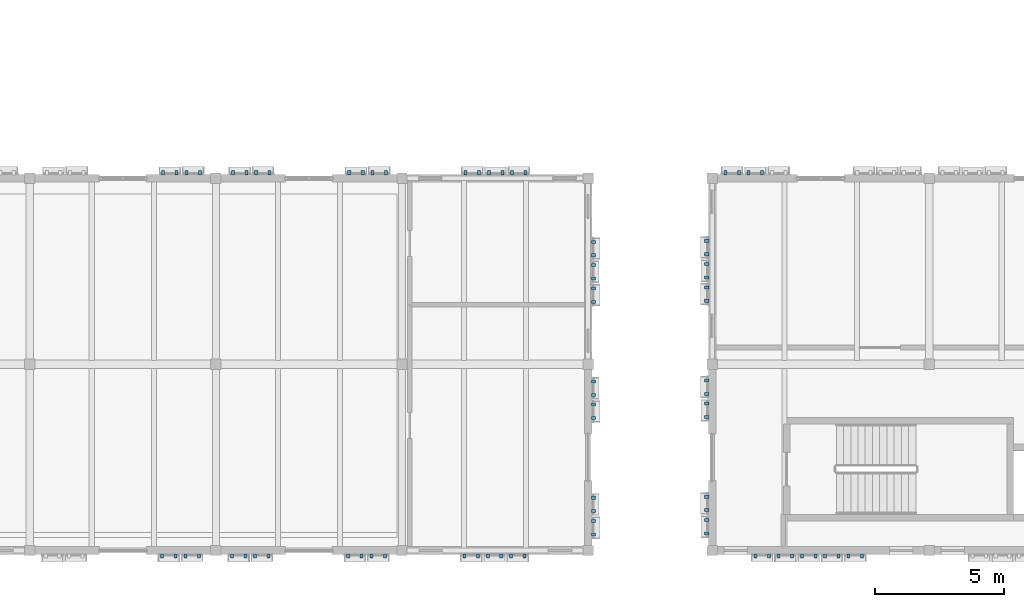
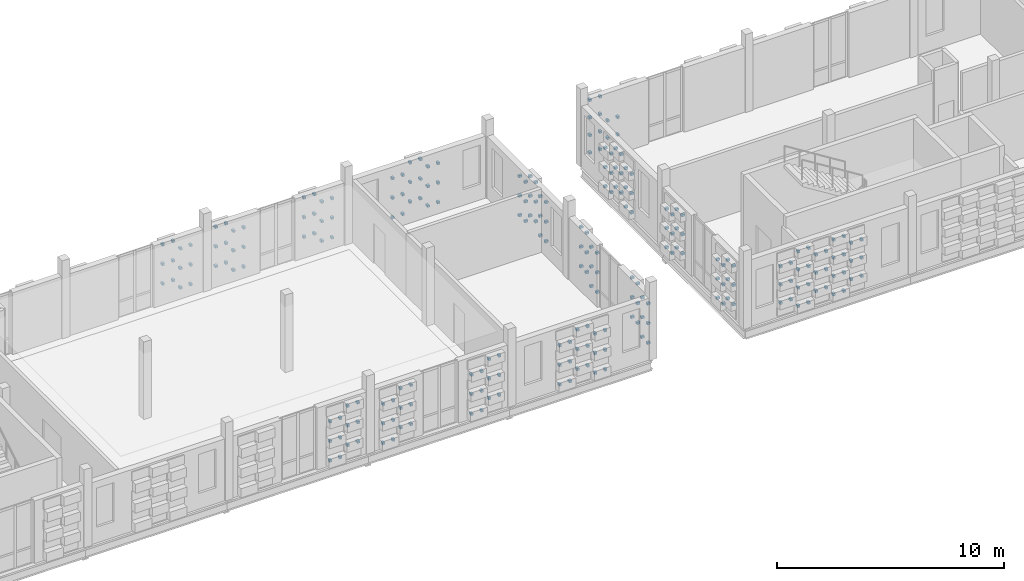
# One storey, part 71 of 81: 238 discrete accessories.
"""IFC4 building model written with IfcOpenShell, lengths in metres."""

from ifc_helpers import new_model, si_unit, direction, frame, origin, origin_2d, place, context, subcontext, project, spatial, rectangle, extrude, material, type_object, element, save


model = new_model("IFC4")

# Units and contexts
model_context = context("Model", 3, precision=1e-05, world=origin(), true_north=direction((0.0, 1.0)))
body_context = subcontext(model_context, "Body", "Model", "MODEL_VIEW")
ifc_project = project(units=[si_unit("LENGTHUNIT", "METRE"), si_unit("AREAUNIT", "SQUARE_METRE"), si_unit("VOLUMEUNIT", "CUBIC_METRE"), si_unit("PLANEANGLEUNIT", "RADIAN"), si_unit("MASSUNIT", "GRAM", prefix="KILO")], contexts=[model_context])

# Site, building, storey
site_placement = place(None, origin())
site = spatial("IfcSite", under=ifc_project, at=site_placement, CompositionType="ELEMENT")
building_placement = place(site_placement, origin())
building = spatial("IfcBuilding", under=site, at=building_placement, Name="Kahlenmark Community Centre", CompositionType="ELEMENT")
storey_placement = place(building_placement, frame((0.0, 0.0, 9.60009765625)))
storey = spatial("IfcBuildingStorey", under=building, at=storey_placement, Name="L02", CompositionType="ELEMENT", Elevation=9.60009765625)

# Discrete accessories
ifc_material = material(Name="Stainless steel 1.4401 rainscreen bracket", Category="steel")
discrete_accessory_type = type_object("IfcDiscreteAccessoryType", Name="DAT-BRACKET-TC", PredefinedType="BRACKET", material=ifc_material)
for number, where, z_axis, x_axis, name in (
    (1, (70.320068359375, 8.590087890625, 0.283935546875), (0.0, 0.0, 1.0), (1.0, 0.0, 0.0), "Terracotta cassette bracket 2815.1"),
    (2, (70.840087890625, 8.590087890625, 0.283935546875), (0.0, 0.0, 1.0), (1.0, 0.0, 0.0), "Terracotta cassette bracket 2815.2"),
    (3, (70.320068359375, 8.590087890625, 1.33984375), (0.0, 0.0, 1.0), (1.0, 0.0, 0.0), "Terracotta cassette bracket 2817.1"),
    (4, (70.840087890625, 8.590087890625, 1.33984375), (0.0, 0.0, 1.0), (1.0, 0.0, 0.0), "Terracotta cassette bracket 2817.2"),
    (5, (70.320068359375, 8.590087890625, 2.395751953125), (0.0, 0.0, 1.0), (1.0, 0.0, 0.0), "Terracotta cassette bracket 2819.1"),
    (6, (70.840087890625, 8.590087890625, 2.395751953125), (0.0, 0.0, 1.0), (1.0, 0.0, 0.0), "Terracotta cassette bracket 2819.2"),
    (7, (71.219970703125, 8.590087890625, 0.811767578125), (0.0, 0.0, 1.0), (1.0, 0.0, 0.0), "Terracotta cassette bracket 2822.1"),
    (8, (71.739990234375, 8.590087890625, 0.811767578125), (0.0, 0.0, 1.0), (1.0, 0.0, 0.0), "Terracotta cassette bracket 2822.2"),
    (9, (71.219970703125, 8.590087890625, 1.867919921875), (0.0, 0.0, 1.0), (1.0, 0.0, 0.0), "Terracotta cassette bracket 2824.1"),
    (10, (71.739990234375, 8.590087890625, 1.867919921875), (0.0, 0.0, 1.0), (1.0, 0.0, 0.0), "Terracotta cassette bracket 2824.2"),
    (11, (71.219970703125, 8.590087890625, 2.923828125), (0.0, 0.0, 1.0), (1.0, 0.0, 0.0), "Terracotta cassette bracket 2826.1"),
    (12, (71.739990234375, 8.590087890625, 2.923828125), (0.0, 0.0, 1.0), (1.0, 0.0, 0.0), "Terracotta cassette bracket 2826.2"),
    (13, (73.02001953125, 8.590087890625, 0.283935546875), (0.0, 0.0, 1.0), (1.0, 0.0, 0.0), "Terracotta cassette bracket 2827.1"),
    (14, (73.5400390625, 8.590087890625, 0.283935546875), (0.0, 0.0, 1.0), (1.0, 0.0, 0.0), "Terracotta cassette bracket 2827.2"),
    (15, (73.02001953125, 8.590087890625, 1.33984375), (0.0, 0.0, 1.0), (1.0, 0.0, 0.0), "Terracotta cassette bracket 2829.1"),
    (16, (73.5400390625, 8.590087890625, 1.33984375), (0.0, 0.0, 1.0), (1.0, 0.0, 0.0), "Terracotta cassette bracket 2829.2"),
    (17, (73.02001953125, 8.590087890625, 2.395751953125), (0.0, 0.0, 1.0), (1.0, 0.0, 0.0), "Terracotta cassette bracket 2831.1"),
    (18, (73.5400390625, 8.590087890625, 2.395751953125), (0.0, 0.0, 1.0), (1.0, 0.0, 0.0), "Terracotta cassette bracket 2831.2"),
    (19, (73.919921875, 8.590087890625, 0.811767578125), (0.0, 0.0, 1.0), (1.0, 0.0, 0.0), "Terracotta cassette bracket 2834.1"),
    (20, (74.43994140625, 8.590087890625, 0.811767578125), (0.0, 0.0, 1.0), (1.0, 0.0, 0.0), "Terracotta cassette bracket 2834.2"),
    (21, (73.919921875, 8.590087890625, 1.867919921875), (0.0, 0.0, 1.0), (1.0, 0.0, 0.0), "Terracotta cassette bracket 2836.1"),
    (22, (74.43994140625, 8.590087890625, 1.867919921875), (0.0, 0.0, 1.0), (1.0, 0.0, 0.0), "Terracotta cassette bracket 2836.2"),
    (23, (73.919921875, 8.590087890625, 2.923828125), (0.0, 0.0, 1.0), (1.0, 0.0, 0.0), "Terracotta cassette bracket 2838.1"),
    (24, (74.43994140625, 8.590087890625, 2.923828125), (0.0, 0.0, 1.0), (1.0, 0.0, 0.0), "Terracotta cassette bracket 2838.2"),
    (25, (77.52001953125, 8.590087890625, 0.283935546875), (0.0, 0.0, 1.0), (1.0, 0.0, 0.0), "Terracotta cassette bracket 2839.1"),
    (26, (78.0400390625, 8.590087890625, 0.283935546875), (0.0, 0.0, 1.0), (1.0, 0.0, 0.0), "Terracotta cassette bracket 2839.2"),
    (27, (77.52001953125, 8.590087890625, 1.33984375), (0.0, 0.0, 1.0), (1.0, 0.0, 0.0), "Terracotta cassette bracket 2841.1"),
    (28, (78.0400390625, 8.590087890625, 1.33984375), (0.0, 0.0, 1.0), (1.0, 0.0, 0.0), "Terracotta cassette bracket 2841.2"),
    (29, (77.52001953125, 8.590087890625, 2.395751953125), (0.0, 0.0, 1.0), (1.0, 0.0, 0.0), "Terracotta cassette bracket 2843.1"),
    (30, (78.0400390625, 8.590087890625, 2.395751953125), (0.0, 0.0, 1.0), (1.0, 0.0, 0.0), "Terracotta cassette bracket 2843.2"),
    (31, (78.419921875, 8.590087890625, 0.811767578125), (0.0, 0.0, 1.0), (1.0, 0.0, 0.0), "Terracotta cassette bracket 2846.1"),
    (32, (78.93994140625, 8.590087890625, 0.811767578125), (0.0, 0.0, 1.0), (1.0, 0.0, 0.0), "Terracotta cassette bracket 2846.2"),
    (33, (78.419921875, 8.590087890625, 1.867919921875), (0.0, 0.0, 1.0), (1.0, 0.0, 0.0), "Terracotta cassette bracket 2848.1"),
    (34, (78.93994140625, 8.590087890625, 1.867919921875), (0.0, 0.0, 1.0), (1.0, 0.0, 0.0), "Terracotta cassette bracket 2848.2"),
    (35, (78.419921875, 8.590087890625, 2.923828125), (0.0, 0.0, 1.0), (1.0, 0.0, 0.0), "Terracotta cassette bracket 2850.1"),
    (36, (78.93994140625, 8.590087890625, 2.923828125), (0.0, 0.0, 1.0), (1.0, 0.0, 0.0), "Terracotta cassette bracket 2850.2"),
    (37, (82.02001953125, 8.590087890625, 0.283935546875), (0.0, 0.0, 1.0), (1.0, 0.0, 0.0), "Terracotta cassette bracket 2851.1"),
    (38, (82.5400390625, 8.590087890625, 0.283935546875), (0.0, 0.0, 1.0), (1.0, 0.0, 0.0), "Terracotta cassette bracket 2851.2"),
    (39, (82.02001953125, 8.590087890625, 1.33984375), (0.0, 0.0, 1.0), (1.0, 0.0, 0.0), "Terracotta cassette bracket 2853.1"),
    (40, (82.5400390625, 8.590087890625, 1.33984375), (0.0, 0.0, 1.0), (1.0, 0.0, 0.0), "Terracotta cassette bracket 2853.2"),
    (41, (82.02001953125, 8.590087890625, 2.395751953125), (0.0, 0.0, 1.0), (1.0, 0.0, 0.0), "Terracotta cassette bracket 2855.1"),
    (42, (82.5400390625, 8.590087890625, 2.395751953125), (0.0, 0.0, 1.0), (1.0, 0.0, 0.0), "Terracotta cassette bracket 2855.2"),
    (43, (82.919921875, 8.590087890625, 0.811767578125), (0.0, 0.0, 1.0), (1.0, 0.0, 0.0), "Terracotta cassette bracket 2858.1"),
    (44, (83.43994140625, 8.590087890625, 0.811767578125), (0.0, 0.0, 1.0), (1.0, 0.0, 0.0), "Terracotta cassette bracket 2858.2"),
    (45, (82.919921875, 8.590087890625, 1.867919921875), (0.0, 0.0, 1.0), (1.0, 0.0, 0.0), "Terracotta cassette bracket 2860.1"),
    (46, (83.43994140625, 8.590087890625, 1.867919921875), (0.0, 0.0, 1.0), (1.0, 0.0, 0.0), "Terracotta cassette bracket 2860.2"),
    (47, (82.919921875, 8.590087890625, 2.923828125), (0.0, 0.0, 1.0), (1.0, 0.0, 0.0), "Terracotta cassette bracket 2862.1"),
    (48, (83.43994140625, 8.590087890625, 2.923828125), (0.0, 0.0, 1.0), (1.0, 0.0, 0.0), "Terracotta cassette bracket 2862.2"),
    (49, (83.820068359375, 8.590087890625, 0.283935546875), (0.0, 0.0, 1.0), (1.0, 0.0, 0.0), "Terracotta cassette bracket 2863.1"),
    (50, (84.340087890625, 8.590087890625, 0.283935546875), (0.0, 0.0, 1.0), (1.0, 0.0, 0.0), "Terracotta cassette bracket 2863.2"),
    (51, (83.820068359375, 8.590087890625, 1.33984375), (0.0, 0.0, 1.0), (1.0, 0.0, 0.0), "Terracotta cassette bracket 2865.1"),
    (52, (84.340087890625, 8.590087890625, 1.33984375), (0.0, 0.0, 1.0), (1.0, 0.0, 0.0), "Terracotta cassette bracket 2865.2"),
    (53, (83.820068359375, 8.590087890625, 2.395751953125), (0.0, 0.0, 1.0), (1.0, 0.0, 0.0), "Terracotta cassette bracket 2867.1"),
    (54, (84.340087890625, 8.590087890625, 2.395751953125), (0.0, 0.0, 1.0), (1.0, 0.0, 0.0), "Terracotta cassette bracket 2867.2"),
    (55, (71.780029296875, 23.409912109375, 0.283935546875), (0.0, 0.0, 1.0), (-1.0, 0.0, 0.0), "Terracotta cassette bracket 2917.1"),
    (56, (71.260009765625, 23.409912109375, 0.283935546875), (0.0, 0.0, 1.0), (-1.0, 0.0, 0.0), "Terracotta cassette bracket 2917.2"),
    (57, (71.780029296875, 23.409912109375, 1.33984375), (0.0, 0.0, 1.0), (-1.0, 0.0, 0.0), "Terracotta cassette bracket 2919.1"),
    (58, (71.260009765625, 23.409912109375, 1.33984375), (0.0, 0.0, 1.0), (-1.0, 0.0, 0.0), "Terracotta cassette bracket 2919.2"),
    (59, (71.780029296875, 23.409912109375, 2.395751953125), (0.0, 0.0, 1.0), (-1.0, 0.0, 0.0), "Terracotta cassette bracket 2921.1"),
    (60, (71.260009765625, 23.409912109375, 2.395751953125), (0.0, 0.0, 1.0), (-1.0, 0.0, 0.0), "Terracotta cassette bracket 2921.2"),
    (61, (70.8798828125, 23.409912109375, 0.811767578125), (0.0, 0.0, 1.0), (-1.0, 0.0, 0.0), "Terracotta cassette bracket 2924.1"),
    (62, (70.360107421875, 23.409912109375, 0.811767578125), (0.0, 0.0, 1.0), (-1.0, 0.0, 0.0), "Terracotta cassette bracket 2924.2"),
    (63, (70.8798828125, 23.409912109375, 1.867919921875), (0.0, 0.0, 1.0), (-1.0, 0.0, 0.0), "Terracotta cassette bracket 2926.1"),
    (64, (70.360107421875, 23.409912109375, 1.867919921875), (0.0, 0.0, 1.0), (-1.0, 0.0, 0.0), "Terracotta cassette bracket 2926.2"),
    (65, (70.8798828125, 23.409912109375, 2.923828125), (0.0, 0.0, 1.0), (-1.0, 0.0, 0.0), "Terracotta cassette bracket 2928.1"),
    (66, (70.360107421875, 23.409912109375, 2.923828125), (0.0, 0.0, 1.0), (-1.0, 0.0, 0.0), "Terracotta cassette bracket 2928.2"),
    (67, (78.97998046875, 23.409912109375, 0.283935546875), (0.0, 0.0, 1.0), (-1.0, 0.0, 0.0), "Terracotta cassette bracket 2941.1"),
    (68, (78.4599609375, 23.409912109375, 0.283935546875), (0.0, 0.0, 1.0), (-1.0, 0.0, 0.0), "Terracotta cassette bracket 2941.2"),
    (69, (78.97998046875, 23.409912109375, 1.33984375), (0.0, 0.0, 1.0), (-1.0, 0.0, 0.0), "Terracotta cassette bracket 2943.1"),
    (70, (78.4599609375, 23.409912109375, 1.33984375), (0.0, 0.0, 1.0), (-1.0, 0.0, 0.0), "Terracotta cassette bracket 2943.2"),
    (71, (78.97998046875, 23.409912109375, 2.395751953125), (0.0, 0.0, 1.0), (-1.0, 0.0, 0.0), "Terracotta cassette bracket 2945.1"),
    (72, (78.4599609375, 23.409912109375, 2.395751953125), (0.0, 0.0, 1.0), (-1.0, 0.0, 0.0), "Terracotta cassette bracket 2945.2"),
    (73, (78.080078125, 23.409912109375, 0.811767578125), (0.0, 0.0, 1.0), (-1.0, 0.0, 0.0), "Terracotta cassette bracket 2948.1"),
    (74, (77.56005859375, 23.409912109375, 0.811767578125), (0.0, 0.0, 1.0), (-1.0, 0.0, 0.0), "Terracotta cassette bracket 2948.2"),
    (75, (78.080078125, 23.409912109375, 1.867919921875), (0.0, 0.0, 1.0), (-1.0, 0.0, 0.0), "Terracotta cassette bracket 2950.1"),
    (76, (77.56005859375, 23.409912109375, 1.867919921875), (0.0, 0.0, 1.0), (-1.0, 0.0, 0.0), "Terracotta cassette bracket 2950.2"),
    (77, (78.080078125, 23.409912109375, 2.923828125), (0.0, 0.0, 1.0), (-1.0, 0.0, 0.0), "Terracotta cassette bracket 2952.1"),
    (78, (77.56005859375, 23.409912109375, 2.923828125), (0.0, 0.0, 1.0), (-1.0, 0.0, 0.0), "Terracotta cassette bracket 2952.2"),
    (79, (74.47998046875, 23.409912109375, 0.283935546875), (0.0, 0.0, 1.0), (-1.0, 0.0, 0.0), "Terracotta cassette bracket 2953.1"),
    (80, (73.9599609375, 23.409912109375, 0.283935546875), (0.0, 0.0, 1.0), (-1.0, 0.0, 0.0), "Terracotta cassette bracket 2953.2"),
    (81, (74.47998046875, 23.409912109375, 1.33984375), (0.0, 0.0, 1.0), (-1.0, 0.0, 0.0), "Terracotta cassette bracket 2955.1"),
    (82, (73.9599609375, 23.409912109375, 1.33984375), (0.0, 0.0, 1.0), (-1.0, 0.0, 0.0), "Terracotta cassette bracket 2955.2"),
    (83, (74.47998046875, 23.409912109375, 2.395751953125), (0.0, 0.0, 1.0), (-1.0, 0.0, 0.0), "Terracotta cassette bracket 2957.1"),
    (84, (73.9599609375, 23.409912109375, 2.395751953125), (0.0, 0.0, 1.0), (-1.0, 0.0, 0.0), "Terracotta cassette bracket 2957.2"),
    (85, (73.580078125, 23.409912109375, 0.811767578125), (0.0, 0.0, 1.0), (-1.0, 0.0, 0.0), "Terracotta cassette bracket 2960.1"),
    (86, (73.06005859375, 23.409912109375, 0.811767578125), (0.0, 0.0, 1.0), (-1.0, 0.0, 0.0), "Terracotta cassette bracket 2960.2"),
    (87, (73.580078125, 23.409912109375, 1.867919921875), (0.0, 0.0, 1.0), (-1.0, 0.0, 0.0), "Terracotta cassette bracket 2962.1"),
    (88, (73.06005859375, 23.409912109375, 1.867919921875), (0.0, 0.0, 1.0), (-1.0, 0.0, 0.0), "Terracotta cassette bracket 2962.2"),
    (89, (73.580078125, 23.409912109375, 2.923828125), (0.0, 0.0, 1.0), (-1.0, 0.0, 0.0), "Terracotta cassette bracket 2964.1"),
    (90, (73.06005859375, 23.409912109375, 2.923828125), (0.0, 0.0, 1.0), (-1.0, 0.0, 0.0), "Terracotta cassette bracket 2964.2"),
    (91, (84.3798828125, 23.409912109375, 0.283935546875), (0.0, 0.0, 1.0), (-1.0, 0.0, 0.0), "Terracotta cassette bracket 2965.1"),
    (92, (83.860107421875, 23.409912109375, 0.283935546875), (0.0, 0.0, 1.0), (-1.0, 0.0, 0.0), "Terracotta cassette bracket 2965.2"),
    (93, (84.3798828125, 23.409912109375, 1.33984375), (0.0, 0.0, 1.0), (-1.0, 0.0, 0.0), "Terracotta cassette bracket 2967.1"),
    (94, (83.860107421875, 23.409912109375, 1.33984375), (0.0, 0.0, 1.0), (-1.0, 0.0, 0.0), "Terracotta cassette bracket 2967.2"),
    (95, (84.3798828125, 23.409912109375, 2.395751953125), (0.0, 0.0, 1.0), (-1.0, 0.0, 0.0), "Terracotta cassette bracket 2969.1"),
    (96, (83.860107421875, 23.409912109375, 2.395751953125), (0.0, 0.0, 1.0), (-1.0, 0.0, 0.0), "Terracotta cassette bracket 2969.2"),
    (97, (83.47998046875, 23.409912109375, 0.811767578125), (0.0, 0.0, 1.0), (-1.0, 0.0, 0.0), "Terracotta cassette bracket 2972.1"),
    (98, (82.9599609375, 23.409912109375, 0.811767578125), (0.0, 0.0, 1.0), (-1.0, 0.0, 0.0), "Terracotta cassette bracket 2972.2"),
    (99, (83.47998046875, 23.409912109375, 1.867919921875), (0.0, 0.0, 1.0), (-1.0, 0.0, 0.0), "Terracotta cassette bracket 2974.1"),
    (100, (82.9599609375, 23.409912109375, 1.867919921875), (0.0, 0.0, 1.0), (-1.0, 0.0, 0.0), "Terracotta cassette bracket 2974.2"),
    (101, (83.47998046875, 23.409912109375, 2.923828125), (0.0, 0.0, 1.0), (-1.0, 0.0, 0.0), "Terracotta cassette bracket 2976.1"),
    (102, (82.9599609375, 23.409912109375, 2.923828125), (0.0, 0.0, 1.0), (-1.0, 0.0, 0.0), "Terracotta cassette bracket 2976.2"),
    (103, (82.580078125, 23.409912109375, 0.283935546875), (0.0, 0.0, 1.0), (-1.0, 0.0, 0.0), "Terracotta cassette bracket 2977.1"),
    (104, (82.06005859375, 23.409912109375, 0.283935546875), (0.0, 0.0, 1.0), (-1.0, 0.0, 0.0), "Terracotta cassette bracket 2977.2"),
    (105, (82.580078125, 23.409912109375, 1.33984375), (0.0, 0.0, 1.0), (-1.0, 0.0, 0.0), "Terracotta cassette bracket 2979.1"),
    (106, (82.06005859375, 23.409912109375, 1.33984375), (0.0, 0.0, 1.0), (-1.0, 0.0, 0.0), "Terracotta cassette bracket 2979.2"),
    (107, (82.580078125, 23.409912109375, 2.395751953125), (0.0, 0.0, 1.0), (-1.0, 0.0, 0.0), "Terracotta cassette bracket 2981.1"),
    (108, (82.06005859375, 23.409912109375, 2.395751953125), (0.0, 0.0, 1.0), (-1.0, 0.0, 0.0), "Terracotta cassette bracket 2981.2"),
    (109, (87.010009765625, 9.419921875, 0.283935546875), (0.0, 0.0, 1.0), (0.0, 1.0, 0.0), "Terracotta cassette bracket 3025.1"),
    (110, (87.010009765625, 9.93994140625, 0.283935546875), (0.0, 0.0, 1.0), (0.0, 1.0, 0.0), "Terracotta cassette bracket 3025.2"),
    (111, (87.010009765625, 9.419921875, 1.33984375), (0.0, 0.0, 1.0), (0.0, 1.0, 0.0), "Terracotta cassette bracket 3027.1"),
    (112, (87.010009765625, 9.93994140625, 1.33984375), (0.0, 0.0, 1.0), (0.0, 1.0, 0.0), "Terracotta cassette bracket 3027.2"),
    (113, (87.010009765625, 9.419921875, 2.395751953125), (0.0, 0.0, 1.0), (0.0, 1.0, 0.0), "Terracotta cassette bracket 3029.1"),
    (114, (87.010009765625, 9.93994140625, 2.395751953125), (0.0, 0.0, 1.0), (0.0, 1.0, 0.0), "Terracotta cassette bracket 3029.2"),
    (115, (87.010009765625, 10.320068359375, 0.811767578125), (0.0, 0.0, 1.0), (0.0, 1.0, 0.0), "Terracotta cassette bracket 3032.1"),
    (116, (87.010009765625, 10.840087890625, 0.811767578125), (0.0, 0.0, 1.0), (0.0, 1.0, 0.0), "Terracotta cassette bracket 3032.2"),
    (117, (87.010009765625, 10.320068359375, 1.867919921875), (0.0, 0.0, 1.0), (0.0, 1.0, 0.0), "Terracotta cassette bracket 3034.1"),
    (118, (87.010009765625, 10.840087890625, 1.867919921875), (0.0, 0.0, 1.0), (0.0, 1.0, 0.0), "Terracotta cassette bracket 3034.2"),
    (119, (87.010009765625, 10.320068359375, 2.923828125), (0.0, 0.0, 1.0), (0.0, 1.0, 0.0), "Terracotta cassette bracket 3036.1"),
    (120, (87.010009765625, 10.840087890625, 2.923828125), (0.0, 0.0, 1.0), (0.0, 1.0, 0.0), "Terracotta cassette bracket 3036.2"),
    (121, (87.010009765625, 13.919921875, 0.283935546875), (0.0, 0.0, 1.0), (0.0, 1.0, 0.0), "Terracotta cassette bracket 3037.1"),
    (122, (87.010009765625, 14.43994140625, 0.283935546875), (0.0, 0.0, 1.0), (0.0, 1.0, 0.0), "Terracotta cassette bracket 3037.2"),
    (123, (87.010009765625, 13.919921875, 1.33984375), (0.0, 0.0, 1.0), (0.0, 1.0, 0.0), "Terracotta cassette bracket 3039.1"),
    (124, (87.010009765625, 14.43994140625, 1.33984375), (0.0, 0.0, 1.0), (0.0, 1.0, 0.0), "Terracotta cassette bracket 3039.2"),
    (125, (87.010009765625, 13.919921875, 2.395751953125), (0.0, 0.0, 1.0), (0.0, 1.0, 0.0), "Terracotta cassette bracket 3041.1"),
    (126, (87.010009765625, 14.43994140625, 2.395751953125), (0.0, 0.0, 1.0), (0.0, 1.0, 0.0), "Terracotta cassette bracket 3041.2"),
    (127, (87.010009765625, 14.820068359375, 0.811767578125), (0.0, 0.0, 1.0), (0.0, 1.0, 0.0), "Terracotta cassette bracket 3044.1"),
    (128, (87.010009765625, 15.340087890625, 0.811767578125), (0.0, 0.0, 1.0), (0.0, 1.0, 0.0), "Terracotta cassette bracket 3044.2"),
    (129, (87.010009765625, 14.820068359375, 1.867919921875), (0.0, 0.0, 1.0), (0.0, 1.0, 0.0), "Terracotta cassette bracket 3046.1"),
    (130, (87.010009765625, 15.340087890625, 1.867919921875), (0.0, 0.0, 1.0), (0.0, 1.0, 0.0), "Terracotta cassette bracket 3046.2"),
    (131, (87.010009765625, 14.820068359375, 2.923828125), (0.0, 0.0, 1.0), (0.0, 1.0, 0.0), "Terracotta cassette bracket 3048.1"),
    (132, (87.010009765625, 15.340087890625, 2.923828125), (0.0, 0.0, 1.0), (0.0, 1.0, 0.0), "Terracotta cassette bracket 3048.2"),
    (133, (87.010009765625, 18.419921875, 0.283935546875), (0.0, 0.0, 1.0), (0.0, 1.0, 0.0), "Terracotta cassette bracket 3049.1"),
    (134, (87.010009765625, 18.93994140625, 0.283935546875), (0.0, 0.0, 1.0), (0.0, 1.0, 0.0), "Terracotta cassette bracket 3049.2"),
    (135, (87.010009765625, 18.419921875, 1.33984375), (0.0, 0.0, 1.0), (0.0, 1.0, 0.0), "Terracotta cassette bracket 3051.1"),
    (136, (87.010009765625, 18.93994140625, 1.33984375), (0.0, 0.0, 1.0), (0.0, 1.0, 0.0), "Terracotta cassette bracket 3051.2"),
    (137, (87.010009765625, 18.419921875, 2.395751953125), (0.0, 0.0, 1.0), (0.0, 1.0, 0.0), "Terracotta cassette bracket 3053.1"),
    (138, (87.010009765625, 18.93994140625, 2.395751953125), (0.0, 0.0, 1.0), (0.0, 1.0, 0.0), "Terracotta cassette bracket 3053.2"),
    (139, (87.010009765625, 19.320068359375, 0.811767578125), (0.0, 0.0, 1.0), (0.0, 1.0, 0.0), "Terracotta cassette bracket 3056.1"),
    (140, (87.010009765625, 19.840087890625, 0.811767578125), (0.0, 0.0, 1.0), (0.0, 1.0, 0.0), "Terracotta cassette bracket 3056.2"),
    (141, (87.010009765625, 19.320068359375, 1.867919921875), (0.0, 0.0, 1.0), (0.0, 1.0, 0.0), "Terracotta cassette bracket 3058.1"),
    (142, (87.010009765625, 19.840087890625, 1.867919921875), (0.0, 0.0, 1.0), (0.0, 1.0, 0.0), "Terracotta cassette bracket 3058.2"),
    (143, (87.010009765625, 19.320068359375, 2.923828125), (0.0, 0.0, 1.0), (0.0, 1.0, 0.0), "Terracotta cassette bracket 3060.1"),
    (144, (87.010009765625, 19.840087890625, 2.923828125), (0.0, 0.0, 1.0), (0.0, 1.0, 0.0), "Terracotta cassette bracket 3060.2"),
    (145, (87.010009765625, 20.219970703125, 0.283935546875), (0.0, 0.0, 1.0), (0.0, 1.0, 0.0), "Terracotta cassette bracket 3061.1"),
    (146, (87.010009765625, 20.739990234375, 0.283935546875), (0.0, 0.0, 1.0), (0.0, 1.0, 0.0), "Terracotta cassette bracket 3061.2"),
    (147, (87.010009765625, 20.219970703125, 1.33984375), (0.0, 0.0, 1.0), (0.0, 1.0, 0.0), "Terracotta cassette bracket 3063.1"),
    (148, (87.010009765625, 20.739990234375, 1.33984375), (0.0, 0.0, 1.0), (0.0, 1.0, 0.0), "Terracotta cassette bracket 3063.2"),
    (149, (87.010009765625, 20.219970703125, 2.395751953125), (0.0, 0.0, 1.0), (0.0, 1.0, 0.0), "Terracotta cassette bracket 3065.1"),
    (150, (87.010009765625, 20.739990234375, 2.395751953125), (0.0, 0.0, 1.0), (0.0, 1.0, 0.0), "Terracotta cassette bracket 3065.2"),
    (151, (93.27001953125, 8.590087890625, 0.7548828125), (0.0, 0.0, 1.0), (1.0, 0.0, 0.0), "Terracotta cassette bracket 3068.1"),
    (152, (93.7900390625, 8.590087890625, 0.7548828125), (0.0, 0.0, 1.0), (1.0, 0.0, 0.0), "Terracotta cassette bracket 3068.2"),
    (153, (93.27001953125, 8.590087890625, 1.73486328125), (0.0, 0.0, 1.0), (1.0, 0.0, 0.0), "Terracotta cassette bracket 3070.1"),
    (154, (93.7900390625, 8.590087890625, 1.73486328125), (0.0, 0.0, 1.0), (1.0, 0.0, 0.0), "Terracotta cassette bracket 3070.2"),
    (155, (93.27001953125, 8.590087890625, 2.71484375), (0.0, 0.0, 1.0), (1.0, 0.0, 0.0), "Terracotta cassette bracket 3072.1"),
    (156, (93.7900390625, 8.590087890625, 2.71484375), (0.0, 0.0, 1.0), (1.0, 0.0, 0.0), "Terracotta cassette bracket 3072.2"),
    (157, (94.169921875, 8.590087890625, 0.264892578125), (0.0, 0.0, 1.0), (1.0, 0.0, 0.0), "Terracotta cassette bracket 3074.1"),
    (158, (94.68994140625, 8.590087890625, 0.264892578125), (0.0, 0.0, 1.0), (1.0, 0.0, 0.0), "Terracotta cassette bracket 3074.2"),
    (159, (94.169921875, 8.590087890625, 1.244873046875), (0.0, 0.0, 1.0), (1.0, 0.0, 0.0), "Terracotta cassette bracket 3076.1"),
    (160, (94.68994140625, 8.590087890625, 1.244873046875), (0.0, 0.0, 1.0), (1.0, 0.0, 0.0), "Terracotta cassette bracket 3076.2"),
    (161, (94.169921875, 8.590087890625, 2.224853515625), (0.0, 0.0, 1.0), (1.0, 0.0, 0.0), "Terracotta cassette bracket 3078.1"),
    (162, (94.68994140625, 8.590087890625, 2.224853515625), (0.0, 0.0, 1.0), (1.0, 0.0, 0.0), "Terracotta cassette bracket 3078.2"),
    (163, (94.169921875, 8.590087890625, 3.204833984375), (0.0, 0.0, 1.0), (1.0, 0.0, 0.0), "Terracotta cassette bracket 3080.1"),
    (164, (94.68994140625, 8.590087890625, 3.204833984375), (0.0, 0.0, 1.0), (1.0, 0.0, 0.0), "Terracotta cassette bracket 3080.2"),
    (165, (95.070068359375, 8.590087890625, 0.7548828125), (0.0, 0.0, 1.0), (1.0, 0.0, 0.0), "Terracotta cassette bracket 3082.1"),
    (166, (95.590087890625, 8.590087890625, 0.7548828125), (0.0, 0.0, 1.0), (1.0, 0.0, 0.0), "Terracotta cassette bracket 3082.2"),
    (167, (95.070068359375, 8.590087890625, 1.73486328125), (0.0, 0.0, 1.0), (1.0, 0.0, 0.0), "Terracotta cassette bracket 3084.1"),
    (168, (95.590087890625, 8.590087890625, 1.73486328125), (0.0, 0.0, 1.0), (1.0, 0.0, 0.0), "Terracotta cassette bracket 3084.2"),
    (169, (95.070068359375, 8.590087890625, 2.71484375), (0.0, 0.0, 1.0), (1.0, 0.0, 0.0), "Terracotta cassette bracket 3086.1"),
    (170, (95.590087890625, 8.590087890625, 2.71484375), (0.0, 0.0, 1.0), (1.0, 0.0, 0.0), "Terracotta cassette bracket 3086.2"),
    (171, (95.969970703125, 8.590087890625, 0.264892578125), (0.0, 0.0, 1.0), (1.0, 0.0, 0.0), "Terracotta cassette bracket 3088.1"),
    (172, (96.489990234375, 8.590087890625, 0.264892578125), (0.0, 0.0, 1.0), (1.0, 0.0, 0.0), "Terracotta cassette bracket 3088.2"),
    (173, (95.969970703125, 8.590087890625, 1.244873046875), (0.0, 0.0, 1.0), (1.0, 0.0, 0.0), "Terracotta cassette bracket 3090.1"),
    (174, (96.489990234375, 8.590087890625, 1.244873046875), (0.0, 0.0, 1.0), (1.0, 0.0, 0.0), "Terracotta cassette bracket 3090.2"),
    (175, (95.969970703125, 8.590087890625, 2.224853515625), (0.0, 0.0, 1.0), (1.0, 0.0, 0.0), "Terracotta cassette bracket 3092.1"),
    (176, (96.489990234375, 8.590087890625, 2.224853515625), (0.0, 0.0, 1.0), (1.0, 0.0, 0.0), "Terracotta cassette bracket 3092.2"),
    (177, (95.969970703125, 8.590087890625, 3.204833984375), (0.0, 0.0, 1.0), (1.0, 0.0, 0.0), "Terracotta cassette bracket 3094.1"),
    (178, (96.489990234375, 8.590087890625, 3.204833984375), (0.0, 0.0, 1.0), (1.0, 0.0, 0.0), "Terracotta cassette bracket 3094.2"),
    (179, (96.8701171875, 8.590087890625, 0.7548828125), (0.0, 0.0, 1.0), (1.0, 0.0, 0.0), "Terracotta cassette bracket 3096.1"),
    (180, (97.389892578125, 8.590087890625, 0.7548828125), (0.0, 0.0, 1.0), (1.0, 0.0, 0.0), "Terracotta cassette bracket 3096.2"),
    (181, (96.8701171875, 8.590087890625, 1.73486328125), (0.0, 0.0, 1.0), (1.0, 0.0, 0.0), "Terracotta cassette bracket 3098.1"),
    (182, (97.389892578125, 8.590087890625, 1.73486328125), (0.0, 0.0, 1.0), (1.0, 0.0, 0.0), "Terracotta cassette bracket 3098.2"),
    (183, (96.8701171875, 8.590087890625, 2.71484375), (0.0, 0.0, 1.0), (1.0, 0.0, 0.0), "Terracotta cassette bracket 3100.1"),
    (184, (97.389892578125, 8.590087890625, 2.71484375), (0.0, 0.0, 1.0), (1.0, 0.0, 0.0), "Terracotta cassette bracket 3100.2"),
    (185, (93.530029296875, 23.409912109375, 0.729248046875), (0.0, 0.0, 1.0), (-1.0, 0.0, 0.0), "Terracotta cassette bracket 3208.1"),
    (186, (93.010009765625, 23.409912109375, 0.729248046875), (0.0, 0.0, 1.0), (-1.0, 0.0, 0.0), "Terracotta cassette bracket 3208.2"),
    (187, (93.530029296875, 23.409912109375, 1.67529296875), (0.0, 0.0, 1.0), (-1.0, 0.0, 0.0), "Terracotta cassette bracket 3210.1"),
    (188, (93.010009765625, 23.409912109375, 1.67529296875), (0.0, 0.0, 1.0), (-1.0, 0.0, 0.0), "Terracotta cassette bracket 3210.2"),
    (189, (92.6298828125, 23.409912109375, 0.25634765625), (0.0, 0.0, 1.0), (-1.0, 0.0, 0.0), "Terracotta cassette bracket 3214.1"),
    (190, (92.110107421875, 23.409912109375, 0.25634765625), (0.0, 0.0, 1.0), (-1.0, 0.0, 0.0), "Terracotta cassette bracket 3214.2"),
    (191, (92.6298828125, 23.409912109375, 1.202392578125), (0.0, 0.0, 1.0), (-1.0, 0.0, 0.0), "Terracotta cassette bracket 3216.1"),
    (192, (92.110107421875, 23.409912109375, 1.202392578125), (0.0, 0.0, 1.0), (-1.0, 0.0, 0.0), "Terracotta cassette bracket 3216.2"),
    (193, (92.6298828125, 23.409912109375, 2.1484375), (0.0, 0.0, 1.0), (-1.0, 0.0, 0.0), "Terracotta cassette bracket 3218.1"),
    (194, (92.110107421875, 23.409912109375, 2.1484375), (0.0, 0.0, 1.0), (-1.0, 0.0, 0.0), "Terracotta cassette bracket 3218.2"),
    (195, (92.6298828125, 23.409912109375, 3.09423828125), (0.0, 0.0, 1.0), (-1.0, 0.0, 0.0), "Terracotta cassette bracket 3220.1"),
    (196, (92.110107421875, 23.409912109375, 3.09423828125), (0.0, 0.0, 1.0), (-1.0, 0.0, 0.0), "Terracotta cassette bracket 3220.2"),
    (197, (91.389892578125, 15.3798828125, 0.27880859375), (0.0, 0.0, 1.0), (0.0, -1.0, 0.0), "Terracotta cassette bracket 3298.1"),
    (198, (91.389892578125, 14.860107421875, 0.27880859375), (0.0, 0.0, 1.0), (0.0, -1.0, 0.0), "Terracotta cassette bracket 3298.2"),
    (199, (91.389892578125, 15.3798828125, 1.31494140625), (0.0, 0.0, 1.0), (0.0, -1.0, 0.0), "Terracotta cassette bracket 3300.1"),
    (200, (91.389892578125, 14.860107421875, 1.31494140625), (0.0, 0.0, 1.0), (0.0, -1.0, 0.0), "Terracotta cassette bracket 3300.2"),
    (201, (91.389892578125, 15.3798828125, 2.350830078125), (0.0, 0.0, 1.0), (0.0, -1.0, 0.0), "Terracotta cassette bracket 3302.1"),
    (202, (91.389892578125, 14.860107421875, 2.350830078125), (0.0, 0.0, 1.0), (0.0, -1.0, 0.0), "Terracotta cassette bracket 3302.2"),
    (203, (91.389892578125, 14.47998046875, 0.796875), (0.0, 0.0, 1.0), (0.0, -1.0, 0.0), "Terracotta cassette bracket 3305.1"),
    (204, (91.389892578125, 13.9599609375, 0.796875), (0.0, 0.0, 1.0), (0.0, -1.0, 0.0), "Terracotta cassette bracket 3305.2"),
    (205, (91.389892578125, 14.47998046875, 1.832763671875), (0.0, 0.0, 1.0), (0.0, -1.0, 0.0), "Terracotta cassette bracket 3307.1"),
    (206, (91.389892578125, 13.9599609375, 1.832763671875), (0.0, 0.0, 1.0), (0.0, -1.0, 0.0), "Terracotta cassette bracket 3307.2"),
    (207, (91.389892578125, 14.47998046875, 2.868896484375), (0.0, 0.0, 1.0), (0.0, -1.0, 0.0), "Terracotta cassette bracket 3309.1"),
    (208, (91.389892578125, 13.9599609375, 2.868896484375), (0.0, 0.0, 1.0), (0.0, -1.0, 0.0), "Terracotta cassette bracket 3309.2"),
    (209, (91.389892578125, 10.8798828125, 0.27880859375), (0.0, 0.0, 1.0), (0.0, -1.0, 0.0), "Terracotta cassette bracket 3310.1"),
    (210, (91.389892578125, 10.360107421875, 0.27880859375), (0.0, 0.0, 1.0), (0.0, -1.0, 0.0), "Terracotta cassette bracket 3310.2"),
    (211, (91.389892578125, 10.8798828125, 1.31494140625), (0.0, 0.0, 1.0), (0.0, -1.0, 0.0), "Terracotta cassette bracket 3312.1"),
    (212, (91.389892578125, 10.360107421875, 1.31494140625), (0.0, 0.0, 1.0), (0.0, -1.0, 0.0), "Terracotta cassette bracket 3312.2"),
    (213, (91.389892578125, 10.8798828125, 2.350830078125), (0.0, 0.0, 1.0), (0.0, -1.0, 0.0), "Terracotta cassette bracket 3314.1"),
    (214, (91.389892578125, 10.360107421875, 2.350830078125), (0.0, 0.0, 1.0), (0.0, -1.0, 0.0), "Terracotta cassette bracket 3314.2"),
    (215, (91.389892578125, 9.97998046875, 0.796875), (0.0, 0.0, 1.0), (0.0, -1.0, 0.0), "Terracotta cassette bracket 3317.1"),
    (216, (91.389892578125, 9.4599609375, 0.796875), (0.0, 0.0, 1.0), (0.0, -1.0, 0.0), "Terracotta cassette bracket 3317.2"),
    (217, (91.389892578125, 9.97998046875, 1.832763671875), (0.0, 0.0, 1.0), (0.0, -1.0, 0.0), "Terracotta cassette bracket 3319.1"),
    (218, (91.389892578125, 9.4599609375, 1.832763671875), (0.0, 0.0, 1.0), (0.0, -1.0, 0.0), "Terracotta cassette bracket 3319.2"),
    (219, (91.389892578125, 9.97998046875, 2.868896484375), (0.0, 0.0, 1.0), (0.0, -1.0, 0.0), "Terracotta cassette bracket 3321.1"),
    (220, (91.389892578125, 9.4599609375, 2.868896484375), (0.0, 0.0, 1.0), (0.0, -1.0, 0.0), "Terracotta cassette bracket 3321.2"),
    (221, (91.389892578125, 20.780029296875, 0.27880859375), (0.0, 0.0, 1.0), (0.0, -1.0, 0.0), "Terracotta cassette bracket 3322.1"),
    (222, (91.389892578125, 20.260009765625, 0.27880859375), (0.0, 0.0, 1.0), (0.0, -1.0, 0.0), "Terracotta cassette bracket 3322.2"),
    (223, (91.389892578125, 20.780029296875, 1.31494140625), (0.0, 0.0, 1.0), (0.0, -1.0, 0.0), "Terracotta cassette bracket 3324.1"),
    (224, (91.389892578125, 20.260009765625, 1.31494140625), (0.0, 0.0, 1.0), (0.0, -1.0, 0.0), "Terracotta cassette bracket 3324.2"),
    (225, (91.389892578125, 20.780029296875, 2.350830078125), (0.0, 0.0, 1.0), (0.0, -1.0, 0.0), "Terracotta cassette bracket 3326.1"),
    (226, (91.389892578125, 20.260009765625, 2.350830078125), (0.0, 0.0, 1.0), (0.0, -1.0, 0.0), "Terracotta cassette bracket 3326.2"),
    (227, (91.389892578125, 19.8798828125, 0.796875), (0.0, 0.0, 1.0), (0.0, -1.0, 0.0), "Terracotta cassette bracket 3329.1"),
    (228, (91.389892578125, 19.360107421875, 0.796875), (0.0, 0.0, 1.0), (0.0, -1.0, 0.0), "Terracotta cassette bracket 3329.2"),
    (229, (91.389892578125, 19.8798828125, 1.832763671875), (0.0, 0.0, 1.0), (0.0, -1.0, 0.0), "Terracotta cassette bracket 3331.1"),
    (230, (91.389892578125, 19.360107421875, 1.832763671875), (0.0, 0.0, 1.0), (0.0, -1.0, 0.0), "Terracotta cassette bracket 3331.2"),
    (231, (91.389892578125, 19.8798828125, 2.868896484375), (0.0, 0.0, 1.0), (0.0, -1.0, 0.0), "Terracotta cassette bracket 3333.1"),
    (232, (91.389892578125, 19.360107421875, 2.868896484375), (0.0, 0.0, 1.0), (0.0, -1.0, 0.0), "Terracotta cassette bracket 3333.2"),
    (233, (91.389892578125, 18.97998046875, 0.27880859375), (0.0, 0.0, 1.0), (0.0, -1.0, 0.0), "Terracotta cassette bracket 3334.1"),
    (234, (91.389892578125, 18.4599609375, 0.27880859375), (0.0, 0.0, 1.0), (0.0, -1.0, 0.0), "Terracotta cassette bracket 3334.2"),
    (235, (91.389892578125, 18.97998046875, 1.31494140625), (0.0, 0.0, 1.0), (0.0, -1.0, 0.0), "Terracotta cassette bracket 3336.1"),
    (236, (91.389892578125, 18.4599609375, 1.31494140625), (0.0, 0.0, 1.0), (0.0, -1.0, 0.0), "Terracotta cassette bracket 3336.2"),
    (237, (91.389892578125, 18.97998046875, 2.350830078125), (0.0, 0.0, 1.0), (0.0, -1.0, 0.0), "Terracotta cassette bracket 3338.1"),
    (238, (91.389892578125, 18.4599609375, 2.350830078125), (0.0, 0.0, 1.0), (0.0, -1.0, 0.0), "Terracotta cassette bracket 3338.2"),
):
    element("IfcDiscreteAccessory", number, at=place(storey_placement, frame(where, z_axis=z_axis, x_axis=x_axis)), inside=storey, type_object=discrete_accessory_type, Name=name, PredefinedType="BRACKET", context=body_context, shape_type="SweptSolid", body=[
        extrude(rectangle(XDim=0.1201171875, YDim=0.159912109375, at=origin_2d()), origin(), (0.0, 0.0, 1.0), 0.1201171875),
    ])

save(model, "model.ifc")
